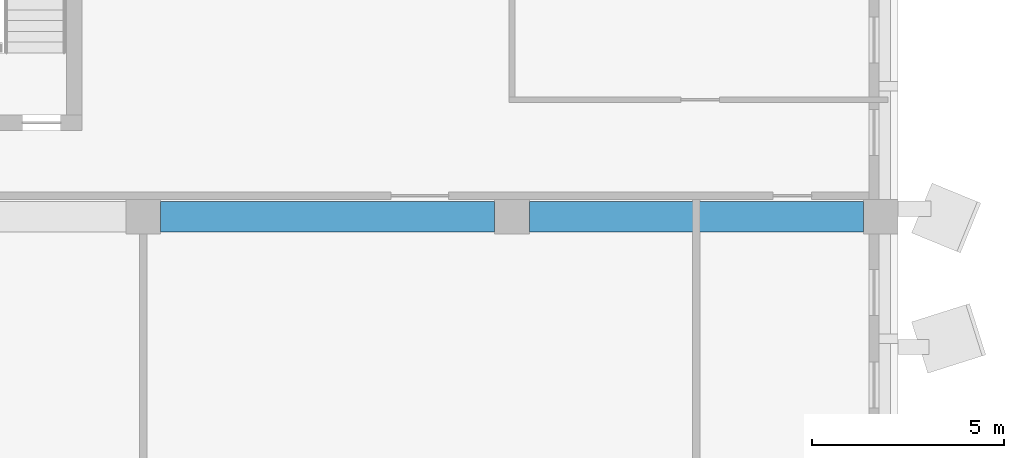
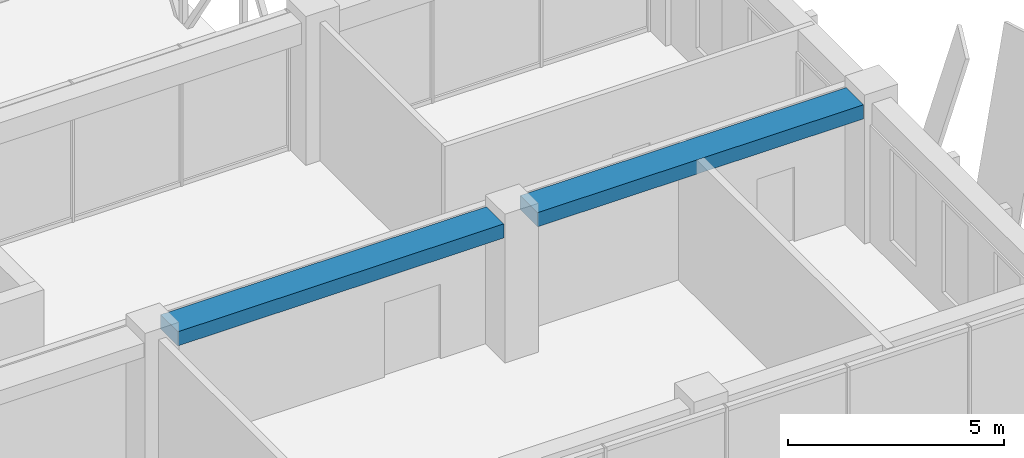
# One storey, part 14 of 38: 2 beams.
"""IFC4 building model written with IfcOpenShell, lengths in metres."""

from ifc_helpers import new_model, si_unit, direction, frame, origin, origin_2d, place, context, subcontext, project, spatial, rectangle, extrude, material, material_profile, profile_set, type_object, element, save


model = new_model("IFC4")

# Units and contexts
model_context = context("Model", 3, precision=1e-05, world=origin(), true_north=direction((0.0, 1.0)))
body_context = subcontext(model_context, "Body", "Model", "MODEL_VIEW")
ifc_project = project(units=[si_unit("LENGTHUNIT", "METRE"), si_unit("AREAUNIT", "SQUARE_METRE"), si_unit("VOLUMEUNIT", "CUBIC_METRE"), si_unit("PLANEANGLEUNIT", "RADIAN"), si_unit("MASSUNIT", "GRAM", prefix="KILO")], contexts=[model_context])

# Site, building, storey
site_placement = place(None, origin())
site = spatial("IfcSite", under=ifc_project, at=site_placement, CompositionType="ELEMENT")
building_placement = place(site_placement, origin())
building = spatial("IfcBuilding", under=site, at=building_placement, Name="Nzadi Deep Aquarium and Research Tower", CompositionType="ELEMENT")
storey_placement = place(building_placement, frame((0.0, 0.0, 48.699951171875)))
storey = spatial("IfcBuildingStorey", under=building, at=storey_placement, Name="L09", CompositionType="ELEMENT", Elevation=48.699951171875)

# Beams
ifc_material = material(Name="Concrete C35/45", Category="concrete")
ifc_material_profile = material_profile(ifc_material, rectangle(XDim=0.800048828125, YDim=0.39990234375, at=origin_2d()))
ifc_profile_set = profile_set([ifc_material_profile], Name="Concrete C35/45")
beam_type = type_object("IfcBeamType", Name="RC 800x400", PredefinedType="BEAM", material=ifc_profile_set)
for number, where, z_axis, x_axis, name in (
    (1, (29.25, 9.199951171875, 3.699951171875), (1.0, 0.0, 0.0), (0.0, 1.0, 0.0), "B-Z1-L09-L2-4"),
    (2, (38.85009765625, 9.199951171875, 3.699951171875), (1.0, 0.0, 0.0), (0.0, 1.0, 0.0), "B-Z1-L09-L2-5"),
):
    element("IfcBeam", number, at=place(storey_placement, frame(where, z_axis=z_axis, x_axis=x_axis)), inside=storey, type_object=beam_type, Name=name, PredefinedType="BEAM", context=body_context, shape_type="SweptSolid", body=[
        extrude(rectangle(XDim=0.800048828125, YDim=0.39990234375, at=origin_2d()), origin(), (0.0, 0.0, 1.0), 8.699951171875),
    ])

save(model, "model.ifc")
